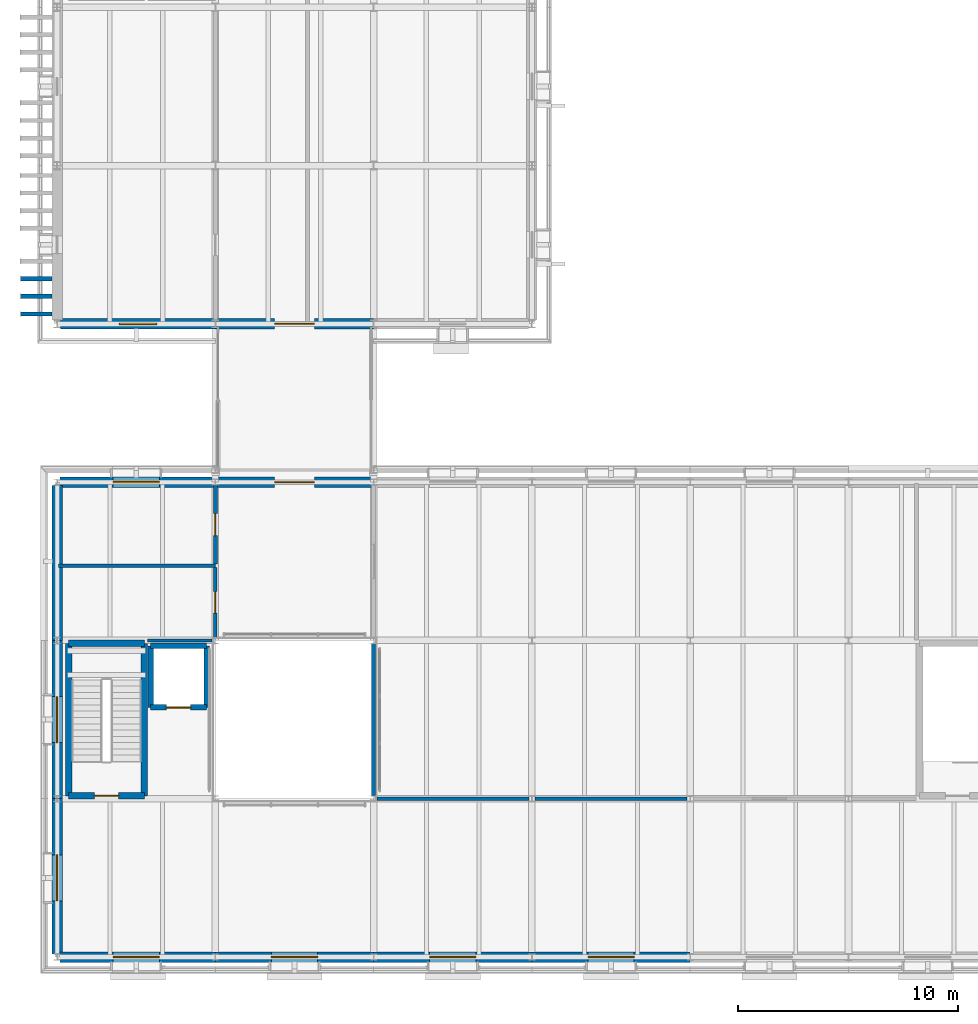
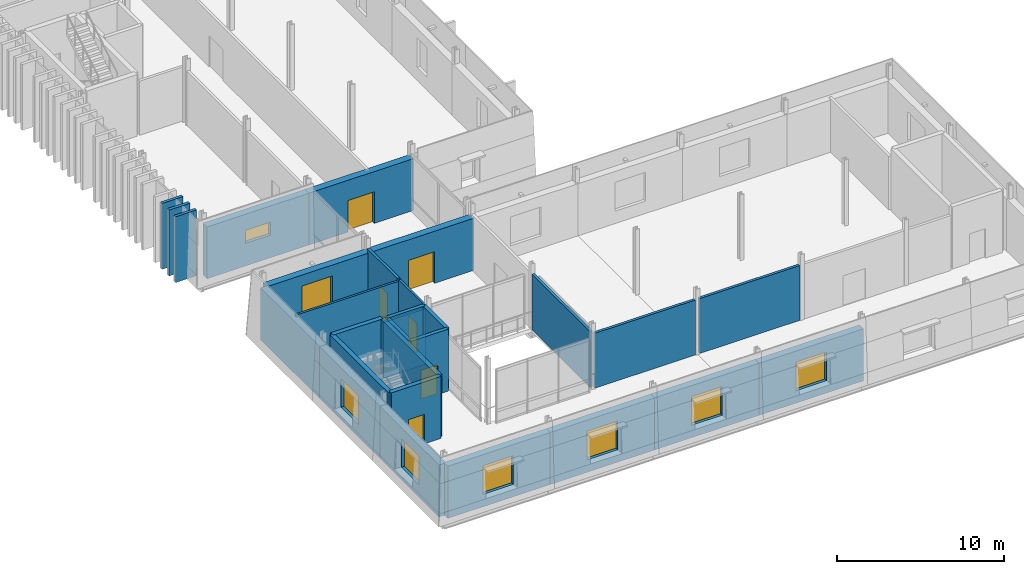
# One storey, part 74 of 121: 29 walls, 8 windows, 6 doors, 14 openings.
"""IFC4 building model written with IfcOpenShell, lengths in metres."""

from ifc_helpers import new_model, si_unit, direction, frame, frame_2d, origin, place, context, subcontext, project, spatial, rectangle, extrude, material, layer, layer_set, type_object, element, fill, save


model = new_model("IFC4")

# Units and contexts
model_context = context("Model", 3, precision=1e-05, world=origin(), true_north=direction((0.0, 1.0)))
body_context = subcontext(model_context, "Body", "Model", "MODEL_VIEW")
ifc_project = project(units=[si_unit("LENGTHUNIT", "METRE"), si_unit("AREAUNIT", "SQUARE_METRE"), si_unit("VOLUMEUNIT", "CUBIC_METRE"), si_unit("PLANEANGLEUNIT", "RADIAN"), si_unit("MASSUNIT", "GRAM", prefix="KILO")], contexts=[model_context])

# Site, building, storey
site_placement = place(None, origin())
site = spatial("IfcSite", under=ifc_project, at=site_placement, CompositionType="ELEMENT")
building_placement = place(site_placement, origin())
building = spatial("IfcBuilding", under=site, at=building_placement, Name="Narikvali Park Central Library", CompositionType="ELEMENT")
storey_placement = place(building_placement, frame((0.0, 0.0, 5.39990234375)))
storey = spatial("IfcBuildingStorey", under=building, at=storey_placement, Name="L01", CompositionType="ELEMENT", Elevation=5.39990234375)

# Walls
ifc_material_1 = material(Name="Kiln-Fired Terracotta Red Brick Masonry", Category="masonry")
ifc_layer_1 = layer(ifc_material_1, 0.199951171875, Name="Kiln-Fired Terracotta Red Brick Masonry")
ifc_layer_set_1 = layer_set([ifc_layer_1], Name="Kiln-Fired Terracotta Red Brick Masonry")
wall_type_1 = type_object("IfcWallType", Name="Kiln-Fired Red Brick Vertical Fin Wall 200", PredefinedType="SOLIDWALL", material=ifc_layer_set_1)
for number, where, z_axis, x_axis, name in (
    (1, (-1.659912109375, 29.25, 0.0), (0.0, 0.0, 1.0), (1.0, 0.0, 0.0), "West Stacks Red Brick Vertical Fin Pier 002"),
    (2, (-1.659912109375, 30.050048828125, 0.0), (0.0, 0.0, 1.0), (1.0, 0.0, 0.0), "West Stacks Red Brick Vertical Fin Pier 006"),
    (3, (-1.659912109375, 30.85009765625, 0.0), (0.0, 0.0, 1.0), (1.0, 0.0, 0.0), "West Stacks Red Brick Vertical Fin Pier 010"),
):
    element("IfcWall", number, at=place(storey_placement, frame(where, z_axis=z_axis, x_axis=x_axis)), inside=storey, type_object=wall_type_1, Name=name, PredefinedType="SOLIDWALL", context=body_context, shape_type="SweptSolid", body=[
        extrude(rectangle(XDim=1.43994140625, YDim=0.199951171875, at=frame_2d((0.719970703125, 0.0))), origin(), (0.0, 0.0, 1.0), 4.800048828125),
    ])
ifc_material_2 = material(Name="Moisture-Resistant Cement Board on Steel Studs", Category="steel")
ifc_layer_2 = layer(ifc_material_2, 0.14990234375, Name="Moisture-Resistant Cement Board on Steel Studs")
ifc_layer_set_2 = layer_set([ifc_layer_2], Name="Moisture-Resistant Cement Board on Steel Studs")
wall_type_2 = type_object("IfcWallType", Name="Moisture-Resistant WC Partition 150", PredefinedType="PARTITIONING", material=ifc_layer_set_2)
wall_1_placement = place(storey_placement, frame((4.1220703125, 14.39990234375, 0.0), z_axis=(0.0, 0.0, 1.0), x_axis=(1.0, 0.0, 0.0)))
element("IfcWall", 4, at=wall_1_placement, inside=storey, type_object=wall_type_2, Name="Children Accessible WC L01 Partition S", PredefinedType="PARTITIONING", context=body_context, shape_type="SweptSolid", body=[
    extrude(rectangle(XDim=2.933837890625, YDim=0.14990234375, at=frame_2d((1.466796875, 0.0))), origin(), (0.0, 0.0, 1.0), 4.065185546875),
])
wall_2_placement = place(storey_placement, frame((0.054931640625, 17.800048828125, 0.0), z_axis=(0.0, 0.0, 1.0), x_axis=(1.0, 0.0, 0.0)))
element("IfcWall", 5, at=wall_2_placement, inside=storey, type_object=wall_type_2, Name="Children Accessible WC L01 Partition N", PredefinedType="PARTITIONING", context=body_context, shape_type="SweptSolid", body=[
    extrude(rectangle(XDim=7.14501953125, YDim=0.14990234375, at=frame_2d((3.572509765625, 0.0))), origin(), (0.0, 0.0, 1.0), 3.955078125),
])

# Wall, opening, door
wall_3_placement = place(storey_placement, frame((7.199951171875, 14.5439453125, 0.0), z_axis=(0.0, 0.0, 1.0), x_axis=(0.0, 1.0, 0.0)))
wall_3 = element("IfcWall", 6, at=wall_3_placement, inside=storey, type_object=wall_type_2, Name="Children Accessible WC L01 Partition E", PredefinedType="PARTITIONING", context=body_context, shape_type="SweptSolid", body=[
    extrude(rectangle(XDim=3.178955078125, YDim=0.14990234375, at=frame_2d((1.58935546875, 0.0))), origin(), (0.0, 0.0, 1.0), 4.065185546875),
])
opening_1_placement = place(wall_3_placement, frame((1.099609375, 0.0, 0.0)))
opening_1 = element("IfcOpeningElement", 7, at=opening_1_placement, cuts=wall_3, Name="Opening ID-0006", PredefinedType="OPENING", context=body_context, shape_type="SweptSolid", body=[
    extrude(rectangle(XDim=0.97998046875, YDim=2.10009765625, at=frame_2d((0.489990234375, 1.050048828125))), frame((0.0, 0.0869140625, 0.0), z_axis=(0.0, -1.0, 0.0), x_axis=(1.0, 0.0, 0.0)), (0.0, 0.0, 1.0), 0.173828125),
])
ifc_material_3 = material(Name="Laminate Faced Hardwood Core", Category="wood")
door_type_1 = type_object("IfcDoorType", Name="Accessible WC Outward-Opening Door 980x2100", OperationType="SINGLE_SWING_RIGHT", PredefinedType="DOOR", material=ifc_material_3)
door_1_placement = place(opening_1_placement, frame((0.97998046875, 0.0, 0.0), z_axis=(0.0, 0.0, 1.0), x_axis=(-1.0, 0.0, 0.0)))
door_1 = element("IfcDoor", 8, at=door_1_placement, inside=storey, type_object=door_type_1, Name="Children Accessible WC L01 Door ID-0006", OperationType="SINGLE_SWING_RIGHT", OverallHeight=2.10009765625, OverallWidth=0.97998046875, PredefinedType="DOOR", context=body_context, shape_type="SweptSolid", body=[
    extrude(rectangle(XDim=0.97998046875, YDim=2.10009765625, at=frame_2d((0.489990234375, 1.050048828125))), frame((0.0, 0.02490234375, 0.0), z_axis=(0.0, -1.0, 0.0), x_axis=(1.0, 0.0, 0.0)), (0.0, 0.0, 1.0), 0.050048828125),
])
fill(opening_1, door_1)

# Walls
ifc_material_4 = material(Name="Acoustic Gypsum on Steel Studs", Category="steel")
ifc_layer_3 = layer(ifc_material_4, 0.179931640625, Name="Acoustic Gypsum on Steel Studs")
ifc_layer_set_3 = layer_set([ifc_layer_3], Name="Acoustic Gypsum on Steel Studs")
wall_type_3 = type_object("IfcWallType", Name="Reading Room Acoustic Partition 180", PredefinedType="PARTITIONING", material=ifc_layer_set_3)
for number, where, z_axis, x_axis, name in (
    (9, (14.5439453125, 7.199951171875, 0.0), (0.0, 0.0, 1.0), (1.0, 0.0, 0.0), "Children Digital Storytelling Studio Partition S"),
    (10, (21.743896484375, 7.199951171875, 0.0), (0.0, 0.0, 1.0), (1.0, 0.0, 0.0), "Children Digital Storytelling Studio Partition S"),
):
    element("IfcWall", number, at=place(storey_placement, frame(where, z_axis=z_axis, x_axis=x_axis)), inside=storey, type_object=wall_type_3, Name=name, PredefinedType="PARTITIONING", context=body_context, shape_type="SweptSolid", body=[
        extrude(rectangle(XDim=6.912109375, YDim=0.179931640625, at=frame_2d((3.4560546875, 0.0))), origin(), (0.0, 0.0, 1.0), 4.005126953125),
    ])

# Wall, opening, door
wall_4_placement = place(storey_placement, frame((7.199951171875, 17.876953125, 0.0), z_axis=(0.0, 0.0, 1.0), x_axis=(0.0, 1.0, 0.0)))
wall_4 = element("IfcWall", 11, at=wall_4_placement, inside=storey, type_object=wall_type_3, Name="Youth Wing Activity Store L01 Partition E", PredefinedType="PARTITIONING", context=body_context, shape_type="SweptSolid", body=[
    extrude(rectangle(XDim=3.5791015625, YDim=0.179931640625, at=frame_2d((1.78955078125, 0.0))), origin(), (0.0, 0.0, 1.0), 4.065185546875),
])
opening_2_placement = place(wall_4_placement, frame((1.28955078125, 0.0, 0.0)))
opening_2 = element("IfcOpeningElement", 12, at=opening_2_placement, cuts=wall_4, Name="Opening ID-0054", PredefinedType="OPENING", context=body_context, shape_type="SweptSolid", body=[
    extrude(rectangle(XDim=1.0, YDim=2.14990234375, at=frame_2d((0.5, 1.074951171875))), frame((0.0, 0.10205078125, 0.0), z_axis=(0.0, -1.0, 0.0), x_axis=(1.0, 0.0, 0.0)), (0.0, 0.0, 1.0), 0.203857421875),
])
ifc_material_5 = material(Name="Solid Caucasian Oak")
door_type_2 = type_object("IfcDoorType", Name="Study Room Single Oak Door 1000x2150", OperationType="SINGLE_SWING_LEFT", PredefinedType="DOOR", material=ifc_material_5)
door_2_placement = place(opening_2_placement, origin())
door_2 = element("IfcDoor", 13, at=door_2_placement, inside=storey, type_object=door_type_2, Name="Youth Wing Activity Store L01 Door ID-0054", OperationType="SINGLE_SWING_RIGHT", OverallHeight=2.14990234375, OverallWidth=1.0, PredefinedType="DOOR", context=body_context, shape_type="SweptSolid", body=[
    extrude(rectangle(XDim=1.0, YDim=2.14990234375, at=frame_2d((0.5, 1.074951171875))), frame((0.0, 0.02490234375, 0.0), z_axis=(0.0, -1.0, 0.0), x_axis=(1.0, 0.0, 0.0)), (0.0, 0.0, 1.0), 0.050048828125),
])
fill(opening_2, door_2)

# Wall
wall_5_placement = place(storey_placement, frame((14.39990234375, 7.343994140625, 0.0), z_axis=(0.0, 0.0, 1.0), x_axis=(0.0, 1.0, 0.0)))
element("IfcWall", 14, at=wall_5_placement, inside=storey, type_object=wall_type_3, Name="Children Digital Storytelling Studio Partition W", PredefinedType="PARTITIONING", context=body_context, shape_type="SweptSolid", body=[
    extrude(rectangle(XDim=6.912109375, YDim=0.179931640625, at=frame_2d((3.4560546875, 0.0))), origin(), (0.0, 0.0, 1.0), 4.065185546875),
])

# Wall, opening, door
ifc_material_6 = material(Name="Concrete C40/50", Category="concrete")
ifc_layer_4 = layer(ifc_material_6, 0.25, Name="Concrete C40/50")
ifc_layer_set_4 = layer_set([ifc_layer_4], Name="Concrete C40/50")
wall_type_4 = type_object("IfcWallType", Name="Reinforced Concrete Lift Shaft Wall 250", PredefinedType="SHEAR", material=ifc_layer_set_4)
wall_6_placement = place(storey_placement, frame((4.25, 11.35009765625, 0.0), z_axis=(0.0, 0.0, 1.0), x_axis=(1.0, 0.0, 0.0)))
wall_6 = element("IfcWall", 15, at=wall_6_placement, inside=storey, type_object=wall_type_4, Name="L-03 L01 Lift Shaft Wall S", PredefinedType="SHEAR", context=body_context, shape_type="SweptSolid", body=[
    extrude(rectangle(XDim=2.550048828125, YDim=0.25, at=frame_2d((1.27490234375, 0.0))), origin(), (0.0, 0.0, 1.0), 4.52001953125),
])
opening_3_placement = place(wall_6_placement, frame((0.72509765625, 0.0, 0.0)))
opening_3 = element("IfcOpeningElement", 16, at=opening_3_placement, cuts=wall_6, Name="Opening LD-012", PredefinedType="OPENING", context=body_context, shape_type="SweptSolid", body=[
    extrude(rectangle(XDim=1.10009765625, YDim=2.10009765625, at=frame_2d((0.550048828125, 1.050048828125))), frame((0.0, 0.136962890625, 0.0), z_axis=(0.0, -1.0, 0.0), x_axis=(1.0, 0.0, 0.0)), (0.0, 0.0, 1.0), 0.27392578125),
])
ifc_material_7 = material(Name="Brushed Stainless Steel S355", Category="steel")
door_type_3 = type_object("IfcDoorType", Name="Passenger Lift Sliding Landing Door 1100x2100", OperationType="SLIDING_TO_LEFT", PredefinedType="DOOR", material=ifc_material_7)
door_3_placement = place(opening_3_placement, origin())
door_3 = element("IfcDoor", 17, at=door_3_placement, inside=storey, type_object=door_type_3, Name="L-03 L01 Lift Landing Sliding Door LD-012", OperationType="SLIDING_TO_LEFT", OverallHeight=2.10009765625, OverallWidth=1.10009765625, PredefinedType="DOOR", context=body_context, shape_type="SweptSolid", body=[
    extrude(rectangle(XDim=1.10009765625, YDim=2.10009765625, at=frame_2d((0.550048828125, 1.050048828125))), frame((0.0, 0.02490234375, 0.0), z_axis=(0.0, -1.0, 0.0), x_axis=(1.0, 0.0, 0.0)), (0.0, 0.0, 1.0), 0.050048828125),
])
fill(opening_3, door_3)

# Walls
wall_7_placement = place(storey_placement, frame((6.800048828125, 11.35009765625, 0.0), z_axis=(0.0, 0.0, 1.0), x_axis=(0.0, 1.0, 0.0)))
element("IfcWall", 18, at=wall_7_placement, inside=storey, type_object=wall_type_4, Name="L-03 L01 Lift Shaft Wall E", PredefinedType="SHEAR", context=body_context, shape_type="SweptSolid", body=[
    extrude(rectangle(XDim=2.7998046875, YDim=0.25, at=frame_2d((1.39990234375, 0.0))), origin(), (0.0, 0.0, 1.0), 4.52001953125),
])
wall_8_placement = place(storey_placement, frame((6.800048828125, 14.14990234375, 0.0), z_axis=(0.0, 0.0, 1.0), x_axis=(-1.0, 0.0, 0.0)))
element("IfcWall", 19, at=wall_8_placement, inside=storey, type_object=wall_type_4, Name="L-03 L01 Lift Shaft Wall N", PredefinedType="SHEAR", context=body_context, shape_type="SweptSolid", body=[
    extrude(rectangle(XDim=2.550048828125, YDim=0.25, at=frame_2d((1.27490234375, 0.0))), origin(), (0.0, 0.0, 1.0), 4.52001953125),
])
wall_9_placement = place(storey_placement, frame((4.25, 14.14990234375, 0.0), z_axis=(0.0, 0.0, 1.0), x_axis=(0.0, -1.0, 0.0)))
element("IfcWall", 20, at=wall_9_placement, inside=storey, type_object=wall_type_4, Name="L-03 L01 Lift Shaft Wall W", PredefinedType="SHEAR", context=body_context, shape_type="SweptSolid", body=[
    extrude(rectangle(XDim=2.7998046875, YDim=0.25, at=frame_2d((1.39990234375, 0.0))), origin(), (0.0, 0.0, 1.0), 4.52001953125),
])

# Wall, opening, door
ifc_layer_5 = layer(ifc_material_6, 0.300048828125, Name="Concrete C40/50")
ifc_layer_set_5 = layer_set([ifc_layer_5], Name="Concrete C40/50")
wall_type_5 = type_object("IfcWallType", Name="Reinforced Concrete Shear Wall 300", PredefinedType="SHEAR", material=ifc_layer_set_5)
wall_10_placement = place(storey_placement, frame((0.530029296875, 7.330078125, 0.0), z_axis=(0.0, 0.0, 1.0), x_axis=(1.0, 0.0, 0.0)))
wall_10 = element("IfcWall", 21, at=wall_10_placement, inside=storey, type_object=wall_type_5, Name="C2A L01 Stair Core Shear Wall S", PredefinedType="SHEAR", context=body_context, shape_type="SweptSolid", body=[
    extrude(rectangle(XDim=3.43994140625, YDim=0.300048828125, at=frame_2d((1.719970703125, 0.0))), origin(), (0.0, 0.0, 1.0), 4.52001953125),
])
opening_4_placement = place(wall_10_placement, frame((1.169921875, 0.0, 0.0)))
opening_4 = element("IfcOpeningElement", 22, at=opening_4_placement, cuts=wall_10, Name="Opening SD-012", PredefinedType="OPENING", context=body_context, shape_type="SweptSolid", body=[
    extrude(rectangle(XDim=1.10009765625, YDim=2.14990234375, at=frame_2d((0.550048828125, 1.074951171875))), frame((0.0, 0.162109375, 0.0), z_axis=(0.0, -1.0, 0.0), x_axis=(1.0, 0.0, 0.0)), (0.0, 0.0, 1.0), 0.323974609375),
])
ifc_material_8 = material(Name="Powder-Coated Steel S275 Fire Leaf", Category="steel")
door_type_4 = type_object("IfcDoorType", Name="Stair Core Smoke-Control Fire Door 1100x2150", OperationType="SINGLE_SWING_LEFT", PredefinedType="DOOR", material=ifc_material_8)
door_4_placement = place(opening_4_placement, frame((1.10009765625, 0.0, 0.0), z_axis=(0.0, 0.0, 1.0), x_axis=(-1.0, 0.0, 0.0)))
door_4 = element("IfcDoor", 23, at=door_4_placement, inside=storey, type_object=door_type_4, Name="ST-03 L01 Stair Exit Door SD-012", OperationType="SINGLE_SWING_RIGHT", OverallHeight=2.14990234375, OverallWidth=1.10009765625, PredefinedType="DOOR", context=body_context, shape_type="SweptSolid", body=[
    extrude(rectangle(XDim=1.10009765625, YDim=2.14990234375, at=frame_2d((0.550048828125, 1.074951171875))), frame((0.0, 0.02490234375, 0.0), z_axis=(0.0, -1.0, 0.0), x_axis=(1.0, 0.0, 0.0)), (0.0, 0.0, 1.0), 0.050048828125),
])
fill(opening_4, door_4)

# Walls
wall_11_placement = place(storey_placement, frame((3.969970703125, 7.330078125, 0.0), z_axis=(0.0, 0.0, 1.0), x_axis=(0.0, 1.0, 0.0)))
element("IfcWall", 24, at=wall_11_placement, inside=storey, type_object=wall_type_5, Name="C2A L01 Stair Core Shear Wall E", PredefinedType="SHEAR", context=body_context, shape_type="SweptSolid", body=[
    extrude(rectangle(XDim=6.93994140625, YDim=0.300048828125, at=frame_2d((3.469970703125, 0.0))), origin(), (0.0, 0.0, 1.0), 4.52001953125),
])
wall_12_placement = place(storey_placement, frame((3.969970703125, 14.27001953125, 0.0), z_axis=(0.0, 0.0, 1.0), x_axis=(-1.0, 0.0, 0.0)))
element("IfcWall", 25, at=wall_12_placement, inside=storey, type_object=wall_type_5, Name="C2A L01 Stair Core Shear Wall N", PredefinedType="SHEAR", context=body_context, shape_type="SweptSolid", body=[
    extrude(rectangle(XDim=3.43994140625, YDim=0.300048828125, at=frame_2d((1.719970703125, 0.0))), origin(), (0.0, 0.0, 1.0), 4.52001953125),
])
wall_13_placement = place(storey_placement, frame((0.530029296875, 14.27001953125, 0.0), z_axis=(0.0, 0.0, 1.0), x_axis=(0.0, -1.0, 0.0)))
element("IfcWall", 26, at=wall_13_placement, inside=storey, type_object=wall_type_5, Name="C2A L01 Stair Core Shear Wall W", PredefinedType="SHEAR", context=body_context, shape_type="SweptSolid", body=[
    extrude(rectangle(XDim=6.93994140625, YDim=0.300048828125, at=frame_2d((3.469970703125, 0.0))), origin(), (0.0, 0.0, 1.0), 4.52001953125),
])

# Wall, opening, window
ifc_material_9 = material(Name="White Honed Limestone over Concrete C35/45", Category="masonry")
ifc_layer_6 = layer(ifc_material_9, 0.47998046875, Name="White Honed Limestone over Concrete C35/45")
ifc_layer_set_6 = layer_set([ifc_layer_6], Name="White Honed Limestone over Concrete C35/45")
wall_type_6 = type_object("IfcWallType", Name="White Limestone Battered Tier1 Wall 480", PredefinedType="SOLIDWALL", material=ifc_layer_set_6)
wall_14_placement = place(storey_placement, frame((0.14404296875, 0.0, 0.0), z_axis=(0.0, 0.0, 1.0), x_axis=(1.0, 0.0, 0.0)))
wall_14 = element("IfcWall", 27, at=wall_14_placement, inside=storey, type_object=wall_type_6, Name="V2 L01 S Exterior Limestone Wall B01", PredefinedType="SOLIDWALL", context=body_context, shape_type="SweptSolid", body=[
    extrude(rectangle(XDim=7.055908203125, YDim=0.47998046875, at=frame_2d((3.52783203125, 0.0))), origin(), (0.0, 0.0, 1.0), 3.800048828125),
])
opening_5_placement = place(wall_14_placement, frame((2.406005859375, 0.0, 0.89990234375)))
opening_5 = element("IfcOpeningElement", 28, at=opening_5_placement, cuts=wall_14, Name="Opening WIN-0052", PredefinedType="OPENING", context=body_context, shape_type="SweptSolid", body=[
    extrude(rectangle(XDim=2.10009765625, YDim=2.10009765625, at=frame_2d((1.050048828125, 1.050048828125))), frame((0.0, 0.251953125, 0.0), z_axis=(0.0, -1.0, 0.0), x_axis=(1.0, 0.0, 0.0)), (0.0, 0.0, 1.0), 0.50390625),
])
ifc_material_10 = material(Name="Anodised Bronze Aluminium and Low-E Triple Glazing", Category="aluminium")
window_type_1 = type_object("IfcWindowType", Name="Children Pavilion Garden Window 2100x2100", PartitioningType="TRIPLE_PANEL_VERTICAL", PredefinedType="WINDOW", material=ifc_material_10)
window_1_placement = place(opening_5_placement, origin())
window_1 = element("IfcWindow", 29, at=window_1_placement, inside=storey, type_object=window_type_1, Name="V2 L01 S Deep-Reveal Window WIN-0052", OverallHeight=2.10009765625, OverallWidth=2.10009765625, PartitioningType="SINGLE_PANEL", PredefinedType="WINDOW", context=body_context, shape_type="SweptSolid", body=[
    extrude(rectangle(XDim=2.10009765625, YDim=2.10009765625, at=frame_2d((1.050048828125, 1.050048828125))), frame((0.0, 0.030029296875, 0.0), z_axis=(0.0, -1.0, 0.0), x_axis=(1.0, 0.0, 0.0)), (0.0, 0.0, 1.0), 0.06005859375),
])
fill(opening_5, window_1)

wall_15_placement = place(storey_placement, frame((7.199951171875, 0.0, 0.0), z_axis=(0.0, 0.0, 1.0), x_axis=(1.0, 0.0, 0.0)))
wall_15 = element("IfcWall", 30, at=wall_15_placement, inside=storey, type_object=wall_type_6, Name="V2 L01 S Exterior Limestone Wall B02", PredefinedType="SOLIDWALL", context=body_context, shape_type="SweptSolid", body=[
    extrude(rectangle(XDim=7.199951171875, YDim=0.47998046875, at=frame_2d((3.60009765625, 0.0))), origin(), (0.0, 0.0, 1.0), 3.800048828125),
])
opening_6_placement = place(wall_15_placement, frame((2.550048828125, 0.0, 0.89990234375)))
opening_6 = element("IfcOpeningElement", 31, at=opening_6_placement, cuts=wall_15, Name="Opening WIN-0053", PredefinedType="OPENING", context=body_context, shape_type="SweptSolid", body=[
    extrude(rectangle(XDim=2.10009765625, YDim=2.10009765625, at=frame_2d((1.050048828125, 1.050048828125))), frame((0.0, 0.251953125, 0.0), z_axis=(0.0, -1.0, 0.0), x_axis=(1.0, 0.0, 0.0)), (0.0, 0.0, 1.0), 0.50390625),
])
window_2_placement = place(opening_6_placement, origin())
window_2 = element("IfcWindow", 32, at=window_2_placement, inside=storey, type_object=window_type_1, Name="V2 L01 S Deep-Reveal Window WIN-0053", OverallHeight=2.10009765625, OverallWidth=2.10009765625, PartitioningType="SINGLE_PANEL", PredefinedType="WINDOW", context=body_context, shape_type="SweptSolid", body=[
    extrude(rectangle(XDim=2.10009765625, YDim=2.10009765625, at=frame_2d((1.050048828125, 1.050048828125))), frame((0.0, 0.030029296875, 0.0), z_axis=(0.0, -1.0, 0.0), x_axis=(1.0, 0.0, 0.0)), (0.0, 0.0, 1.0), 0.06005859375),
])
fill(opening_6, window_2)

wall_16_placement = place(storey_placement, frame((14.39990234375, 0.0, 0.0), z_axis=(0.0, 0.0, 1.0), x_axis=(1.0, 0.0, 0.0)))
wall_16 = element("IfcWall", 33, at=wall_16_placement, inside=storey, type_object=wall_type_6, Name="V2 L01 S Exterior Limestone Wall B03", PredefinedType="SOLIDWALL", context=body_context, shape_type="SweptSolid", body=[
    extrude(rectangle(XDim=7.2001953125, YDim=0.47998046875, at=frame_2d((3.60009765625, 0.0))), origin(), (0.0, 0.0, 1.0), 3.800048828125),
])
opening_7_placement = place(wall_16_placement, frame((2.550048828125, 0.0, 0.89990234375)))
opening_7 = element("IfcOpeningElement", 34, at=opening_7_placement, cuts=wall_16, Name="Opening WIN-0054", PredefinedType="OPENING", context=body_context, shape_type="SweptSolid", body=[
    extrude(rectangle(XDim=2.10009765625, YDim=2.10009765625, at=frame_2d((1.050048828125, 1.050048828125))), frame((0.0, 0.251953125, 0.0), z_axis=(0.0, -1.0, 0.0), x_axis=(1.0, 0.0, 0.0)), (0.0, 0.0, 1.0), 0.50390625),
])
window_3_placement = place(opening_7_placement, origin())
window_3 = element("IfcWindow", 35, at=window_3_placement, inside=storey, type_object=window_type_1, Name="V2 L01 S Deep-Reveal Window WIN-0054", OverallHeight=2.10009765625, OverallWidth=2.10009765625, PartitioningType="SINGLE_PANEL", PredefinedType="WINDOW", context=body_context, shape_type="SweptSolid", body=[
    extrude(rectangle(XDim=2.10009765625, YDim=2.10009765625, at=frame_2d((1.050048828125, 1.050048828125))), frame((0.0, 0.030029296875, 0.0), z_axis=(0.0, -1.0, 0.0), x_axis=(1.0, 0.0, 0.0)), (0.0, 0.0, 1.0), 0.06005859375),
])
fill(opening_7, window_3)

wall_17_placement = place(storey_placement, frame((21.60009765625, 0.0, 0.0), z_axis=(0.0, 0.0, 1.0), x_axis=(1.0, 0.0, 0.0)))
wall_17 = element("IfcWall", 36, at=wall_17_placement, inside=storey, type_object=wall_type_6, Name="V2 L01 S Exterior Limestone Wall B04", PredefinedType="SOLIDWALL", context=body_context, shape_type="SweptSolid", body=[
    extrude(rectangle(XDim=7.199951171875, YDim=0.47998046875, at=frame_2d((3.60009765625, 0.0))), origin(), (0.0, 0.0, 1.0), 3.800048828125),
])
opening_8_placement = place(wall_17_placement, frame((2.550048828125, 0.0, 0.89990234375)))
opening_8 = element("IfcOpeningElement", 37, at=opening_8_placement, cuts=wall_17, Name="Opening WIN-0055", PredefinedType="OPENING", context=body_context, shape_type="SweptSolid", body=[
    extrude(rectangle(XDim=2.10009765625, YDim=2.10009765625, at=frame_2d((1.050048828125, 1.050048828125))), frame((0.0, 0.251953125, 0.0), z_axis=(0.0, -1.0, 0.0), x_axis=(1.0, 0.0, 0.0)), (0.0, 0.0, 1.0), 0.50390625),
])
window_4_placement = place(opening_8_placement, origin())
window_4 = element("IfcWindow", 38, at=window_4_placement, inside=storey, type_object=window_type_1, Name="V2 L01 S Deep-Reveal Window WIN-0055", OverallHeight=2.10009765625, OverallWidth=2.10009765625, PartitioningType="SINGLE_PANEL", PredefinedType="WINDOW", context=body_context, shape_type="SweptSolid", body=[
    extrude(rectangle(XDim=2.10009765625, YDim=2.10009765625, at=frame_2d((1.050048828125, 1.050048828125))), frame((0.0, 0.030029296875, 0.0), z_axis=(0.0, -1.0, 0.0), x_axis=(1.0, 0.0, 0.0)), (0.0, 0.0, 1.0), 0.06005859375),
])
fill(opening_8, window_4)

# Wall, opening, door
wall_18_placement = place(storey_placement, frame((14.39990234375, 21.60009765625, 0.0), z_axis=(0.0, 0.0, 1.0), x_axis=(-1.0, 0.0, 0.0)))
wall_18 = element("IfcWall", 39, at=wall_18_placement, inside=storey, type_object=wall_type_6, Name="V2 L01 N Exterior Limestone Wall B05", PredefinedType="SOLIDWALL", context=body_context, shape_type="SweptSolid", body=[
    extrude(rectangle(XDim=7.199951171875, YDim=0.47998046875, at=frame_2d((3.60009765625, 0.0))), origin(), (0.0, 0.0, 1.0), 3.800048828125),
])
opening_9_placement = place(wall_18_placement, frame((2.699951171875, 0.0, 0.0)))
opening_9 = element("IfcOpeningElement", 40, at=opening_9_placement, cuts=wall_18, Name="Opening BD-016", PredefinedType="OPENING", context=body_context, shape_type="SweptSolid", body=[
    extrude(rectangle(XDim=1.800048828125, YDim=2.300048828125, at=frame_2d((0.89990234375, 1.14990234375))), frame((0.0, 0.251953125, 0.0), z_axis=(0.0, -1.0, 0.0), x_axis=(1.0, 0.0, 0.0)), (0.0, 0.0, 1.0), 0.50390625),
])
ifc_material_11 = material(Name="Fire-Rated Glazing in Steel S275 Frame", Category="steel")
door_type_5 = type_object("IfcDoorType", Name="Glazed Double Corridor Bridge Fire Door 1800x2300", OperationType="DOUBLE_DOOR_SINGLE_SWING", PredefinedType="DOOR", material=ifc_material_11)
door_5_placement = place(opening_9_placement, origin())
door_5 = element("IfcDoor", 41, at=door_5_placement, inside=storey, type_object=door_type_5, Name="V2 L01 Covered Bridge Fire Door BD-016", OperationType="DOUBLE_DOOR_SINGLE_SWING", OverallHeight=2.300048828125, OverallWidth=1.800048828125, PredefinedType="DOOR", context=body_context, shape_type="SweptSolid", body=[
    extrude(rectangle(XDim=1.800048828125, YDim=2.300048828125, at=frame_2d((0.89990234375, 1.14990234375))), frame((0.0, 0.02490234375, 0.0), z_axis=(0.0, -1.0, 0.0), x_axis=(1.0, 0.0, 0.0)), (0.0, 0.0, 1.0), 0.050048828125),
])
fill(opening_9, door_5)

# Wall, opening, window
wall_19_placement = place(storey_placement, frame((7.199951171875, 21.60009765625, 0.0), z_axis=(0.0, 0.0, 1.0), x_axis=(-1.0, 0.0, 0.0)))
wall_19 = element("IfcWall", 42, at=wall_19_placement, inside=storey, type_object=wall_type_6, Name="V2 L01 N Exterior Limestone Wall B06", PredefinedType="SOLIDWALL", context=body_context, shape_type="SweptSolid", body=[
    extrude(rectangle(XDim=7.055908203125, YDim=0.47998046875, at=frame_2d((3.52783203125, 0.0))), origin(), (0.0, 0.0, 1.0), 3.800048828125),
])
opening_10_placement = place(wall_19_placement, frame((2.550048828125, 0.0, 0.89990234375)))
opening_10 = element("IfcOpeningElement", 43, at=opening_10_placement, cuts=wall_19, Name="Opening WIN-0064", PredefinedType="OPENING", context=body_context, shape_type="SweptSolid", body=[
    extrude(rectangle(XDim=2.10009765625, YDim=2.10009765625, at=frame_2d((1.050048828125, 1.050048828125))), frame((0.0, 0.251953125, 0.0), z_axis=(0.0, -1.0, 0.0), x_axis=(1.0, 0.0, 0.0)), (0.0, 0.0, 1.0), 0.50390625),
])
window_5_placement = place(opening_10_placement, origin())
window_5 = element("IfcWindow", 44, at=window_5_placement, inside=storey, type_object=window_type_1, Name="V2 L01 N Deep-Reveal Window WIN-0064", OverallHeight=2.10009765625, OverallWidth=2.10009765625, PartitioningType="SINGLE_PANEL", PredefinedType="WINDOW", context=body_context, shape_type="SweptSolid", body=[
    extrude(rectangle(XDim=2.10009765625, YDim=2.10009765625, at=frame_2d((1.050048828125, 1.050048828125))), frame((0.0, 0.030029296875, 0.0), z_axis=(0.0, -1.0, 0.0), x_axis=(1.0, 0.0, 0.0)), (0.0, 0.0, 1.0), 0.06005859375),
])
fill(opening_10, window_5)

# Wall
wall_20_placement = place(storey_placement, frame((0.0, 21.4560546875, 0.0), z_axis=(0.0, 0.0, 1.0), x_axis=(0.0, -1.0, 0.0)))
element("IfcWall", 45, at=wall_20_placement, inside=storey, type_object=wall_type_6, Name="V2 L01 W Exterior Limestone Wall B01", PredefinedType="SOLIDWALL", context=body_context, shape_type="SweptSolid", body=[
    extrude(rectangle(XDim=7.05615234375, YDim=0.47998046875, at=frame_2d((3.528076171875, 0.0))), origin(), (0.0, 0.0, 1.0), 3.800048828125),
])

# Wall, opening, window
wall_21_placement = place(storey_placement, frame((0.0, 14.39990234375, 0.0), z_axis=(0.0, 0.0, 1.0), x_axis=(0.0, -1.0, 0.0)))
wall_21 = element("IfcWall", 46, at=wall_21_placement, inside=storey, type_object=wall_type_6, Name="V2 L01 W Exterior Limestone Wall B02", PredefinedType="SOLIDWALL", context=body_context, shape_type="SweptSolid", body=[
    extrude(rectangle(XDim=7.199951171875, YDim=0.47998046875, at=frame_2d((3.60009765625, 0.0))), origin(), (0.0, 0.0, 1.0), 3.800048828125),
])
opening_11_placement = place(wall_21_placement, frame((2.550048828125, 0.0, 0.89990234375)))
opening_11 = element("IfcOpeningElement", 47, at=opening_11_placement, cuts=wall_21, Name="Opening WIN-0065", PredefinedType="OPENING", context=body_context, shape_type="SweptSolid", body=[
    extrude(rectangle(XDim=2.10009765625, YDim=2.10009765625, at=frame_2d((1.050048828125, 1.050048828125))), frame((0.0, 0.251953125, 0.0), z_axis=(0.0, -1.0, 0.0), x_axis=(1.0, 0.0, 0.0)), (0.0, 0.0, 1.0), 0.50390625),
])
window_6_placement = place(opening_11_placement, origin())
window_6 = element("IfcWindow", 48, at=window_6_placement, inside=storey, type_object=window_type_1, Name="V2 L01 W Deep-Reveal Window WIN-0065", OverallHeight=2.10009765625, OverallWidth=2.10009765625, PartitioningType="SINGLE_PANEL", PredefinedType="WINDOW", context=body_context, shape_type="SweptSolid", body=[
    extrude(rectangle(XDim=2.10009765625, YDim=2.10009765625, at=frame_2d((1.050048828125, 1.050048828125))), frame((0.0, 0.030029296875, 0.0), z_axis=(0.0, -1.0, 0.0), x_axis=(1.0, 0.0, 0.0)), (0.0, 0.0, 1.0), 0.06005859375),
])
fill(opening_11, window_6)

wall_22_placement = place(storey_placement, frame((0.0, 7.199951171875, 0.0), z_axis=(0.0, 0.0, 1.0), x_axis=(0.0, -1.0, 0.0)))
wall_22 = element("IfcWall", 49, at=wall_22_placement, inside=storey, type_object=wall_type_6, Name="V2 L01 W Exterior Limestone Wall B03", PredefinedType="SOLIDWALL", context=body_context, shape_type="SweptSolid", body=[
    extrude(rectangle(XDim=7.055908203125, YDim=0.47998046875, at=frame_2d((3.52783203125, 0.0))), origin(), (0.0, 0.0, 1.0), 3.800048828125),
])
opening_12_placement = place(wall_22_placement, frame((2.550048828125, 0.0, 0.89990234375)))
opening_12 = element("IfcOpeningElement", 50, at=opening_12_placement, cuts=wall_22, Name="Opening WIN-0066", PredefinedType="OPENING", context=body_context, shape_type="SweptSolid", body=[
    extrude(rectangle(XDim=2.10009765625, YDim=2.10009765625, at=frame_2d((1.050048828125, 1.050048828125))), frame((0.0, 0.251953125, 0.0), z_axis=(0.0, -1.0, 0.0), x_axis=(1.0, 0.0, 0.0)), (0.0, 0.0, 1.0), 0.50390625),
])
window_7_placement = place(opening_12_placement, origin())
window_7 = element("IfcWindow", 51, at=window_7_placement, inside=storey, type_object=window_type_1, Name="V2 L01 W Deep-Reveal Window WIN-0066", OverallHeight=2.10009765625, OverallWidth=2.10009765625, PartitioningType="SINGLE_PANEL", PredefinedType="WINDOW", context=body_context, shape_type="SweptSolid", body=[
    extrude(rectangle(XDim=2.10009765625, YDim=2.10009765625, at=frame_2d((1.050048828125, 1.050048828125))), frame((0.0, 0.030029296875, 0.0), z_axis=(0.0, -1.0, 0.0), x_axis=(1.0, 0.0, 0.0)), (0.0, 0.0, 1.0), 0.06005859375),
])
fill(opening_12, window_7)

wall_23_placement = place(storey_placement, frame((0.158447265625, 28.800048828125, 0.0), z_axis=(0.0, 0.0, 1.0), x_axis=(1.0, 0.0, 0.0)))
wall_23 = element("IfcWall", 52, at=wall_23_placement, inside=storey, type_object=wall_type_6, Name="V5 L01 S Exterior Limestone Wall B01", PredefinedType="SOLIDWALL", context=body_context, shape_type="SweptSolid", body=[
    extrude(rectangle(XDim=7.04150390625, YDim=0.47998046875, at=frame_2d((3.520751953125, 0.0))), origin(), (0.0, 0.0, 1.0), 3.780029296875),
])
opening_13_placement = place(wall_23_placement, frame((2.670654296875, 0.0, 1.64990234375)))
opening_13 = element("IfcOpeningElement", 53, at=opening_13_placement, cuts=wall_23, Name="Opening SKY-06", PredefinedType="OPENING", context=body_context, shape_type="SweptSolid", body=[
    extrude(rectangle(XDim=1.699951171875, YDim=0.949951171875, at=frame_2d((0.85009765625, 0.47509765625))), frame((0.0, 0.251953125, 0.0), z_axis=(0.0, -1.0, 0.0), x_axis=(1.0, 0.0, 0.0)), (0.0, 0.0, 1.0), 0.50390625),
])
ifc_material_12 = material(Name="Laminated Solar-Control Skylight Glazing", Category="glass")
window_type_2 = type_object("IfcWindowType", Name="Gallery Roof Lantern Skylight 1700x1700", PartitioningType="SINGLE_PANEL", PredefinedType="SKYLIGHT", material=ifc_material_12)
window_8_placement = place(opening_13_placement, origin())
window_8 = element("IfcWindow", 54, at=window_8_placement, inside=storey, type_object=window_type_2, Name="V5 Clerestory Lantern Skylight SKY-06", OverallHeight=0.949951171875, OverallWidth=1.699951171875, PartitioningType="SINGLE_PANEL", PredefinedType="SKYLIGHT", context=body_context, shape_type="SweptSolid", body=[
    extrude(rectangle(XDim=1.699951171875, YDim=0.949951171875, at=frame_2d((0.85009765625, 0.47509765625))), frame((0.0, 0.030029296875, 0.0), z_axis=(0.0, -1.0, 0.0), x_axis=(1.0, 0.0, 0.0)), (0.0, 0.0, 1.0), 0.06005859375),
])
fill(opening_13, window_8)

# Wall, opening, door
wall_24_placement = place(storey_placement, frame((7.199951171875, 28.800048828125, 0.0), z_axis=(0.0, 0.0, 1.0), x_axis=(1.0, 0.0, 0.0)))
wall_24 = element("IfcWall", 55, at=wall_24_placement, inside=storey, type_object=wall_type_6, Name="V5 L01 S Exterior Limestone Wall B02", PredefinedType="SOLIDWALL", context=body_context, shape_type="SweptSolid", body=[
    extrude(rectangle(XDim=7.199951171875, YDim=0.47998046875, at=frame_2d((3.60009765625, 0.0))), origin(), (0.0, 0.0, 1.0), 3.780029296875),
])
opening_14_placement = place(wall_24_placement, frame((2.699951171875, 0.0, 0.0)))
opening_14 = element("IfcOpeningElement", 56, at=opening_14_placement, cuts=wall_24, Name="Opening BD-042", PredefinedType="OPENING", context=body_context, shape_type="SweptSolid", body=[
    extrude(rectangle(XDim=1.800048828125, YDim=2.300048828125, at=frame_2d((0.89990234375, 1.14990234375))), frame((0.0, 0.251953125, 0.0), z_axis=(0.0, -1.0, 0.0), x_axis=(1.0, 0.0, 0.0)), (0.0, 0.0, 1.0), 0.50390625),
])
door_6_placement = place(opening_14_placement, origin())
door_6 = element("IfcDoor", 57, at=door_6_placement, inside=storey, type_object=door_type_5, Name="V5 L01 Covered Bridge Fire Door BD-042", OperationType="DOUBLE_DOOR_SINGLE_SWING", OverallHeight=2.300048828125, OverallWidth=1.800048828125, PredefinedType="DOOR", context=body_context, shape_type="SweptSolid", body=[
    extrude(rectangle(XDim=1.800048828125, YDim=2.300048828125, at=frame_2d((0.89990234375, 1.14990234375))), frame((0.0, 0.02490234375, 0.0), z_axis=(0.0, -1.0, 0.0), x_axis=(1.0, 0.0, 0.0)), (0.0, 0.0, 1.0), 0.050048828125),
])
fill(opening_14, door_6)

save(model, "model.ifc")
